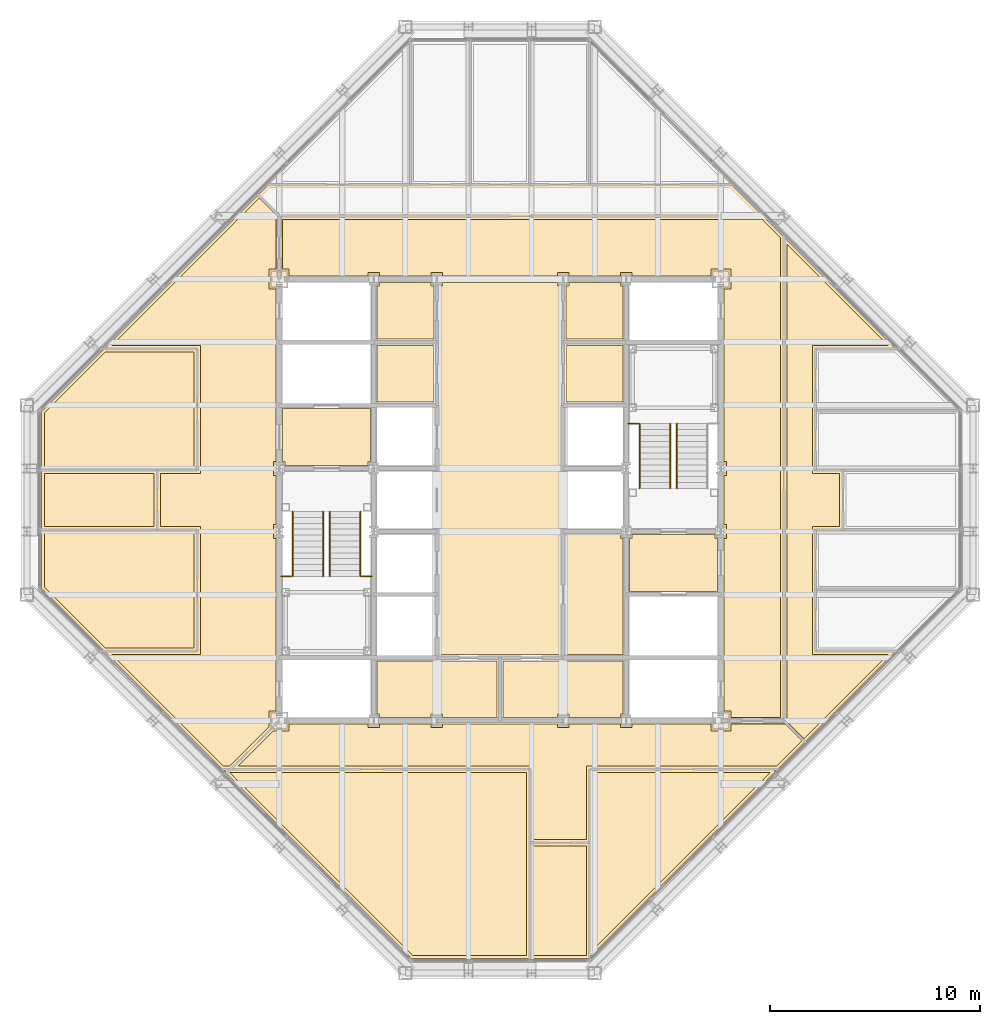
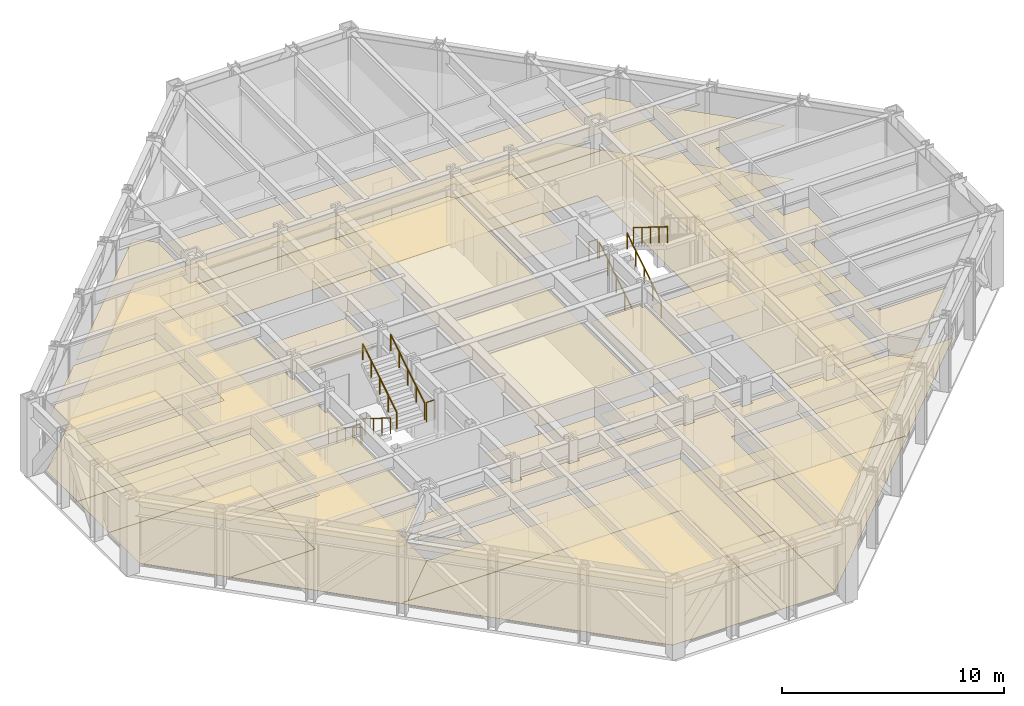
# One storey, part 14 of 15: 29 coverings, 10 railings.
"""IFC4 building model written with IfcOpenShell, lengths in metres."""

from ifc_helpers import new_model, si_unit, direction, frame, origin, origin_2d, place, context, subcontext, project, spatial, polyline, circle, outline, extrude, material, layer, layer_set, type_object, element, save


model = new_model("IFC4")

# Units and contexts
model_context = context("Model", 3, precision=1e-05, world=origin(), true_north=direction((0.0, 1.0)))
body_context = subcontext(model_context, "Body", "Model", "MODEL_VIEW")
ifc_project = project(units=[si_unit("LENGTHUNIT", "METRE"), si_unit("AREAUNIT", "SQUARE_METRE"), si_unit("VOLUMEUNIT", "CUBIC_METRE"), si_unit("PLANEANGLEUNIT", "RADIAN"), si_unit("MASSUNIT", "GRAM", prefix="KILO")], contexts=[model_context])

# Site, building, storey
site_placement = place(None, origin())
site = spatial("IfcSite", under=ifc_project, at=site_placement, CompositionType="ELEMENT")
building_placement = place(site_placement, origin())
building = spatial("IfcBuilding", under=site, at=building_placement, Name="Chuquiago Exchange Tower", CompositionType="ELEMENT")
storey_placement = place(building_placement, frame((0.0, 0.0, 279.0)))
storey = spatial("IfcBuildingStorey", under=building, at=storey_placement, Name="L62", CompositionType="ELEMENT", Elevation=279.0)

# Coverings
ifc_material_1 = material(Name="Mineral fibre tile, 600 x 600, on pale metal grid", Category="mineral fibre")
ifc_layer_1 = layer(ifc_material_1, 0.02001953125)
ifc_layer_set_1 = layer_set([ifc_layer_1], Name="CL1 suspended tile ceiling 20")
covering_type_1 = type_object("IfcCoveringType", Name="CL1 suspended tile ceiling 20", PredefinedType="CEILING", material=ifc_layer_set_1)
covering_1_placement = place(storey_placement, frame((0.0, 0.0, 3.0)))
element("IfcCovering", 1, at=covering_1_placement, inside=storey, type_object=covering_type_1, Name="Ceiling Conference room", PredefinedType="CEILING", context=body_context, shape_type="SweptSolid", body=[
    extrude(outline(polyline([(23.76708984375, 9.550048828125), (23.76708984375, 0.85009765625), (18.35205078125, 0.85009765625), (9.652099609375, 9.550048828125), (23.76708984375, 9.550048828125)])), origin(), (0.0, 0.0, 1.0), 0.02001953125),
])
covering_2_placement = place(storey_placement, frame((0.0, 0.0, 3.0)))
element("IfcCovering", 2, at=covering_2_placement, inside=storey, type_object=covering_type_1, Name="Ceiling Focus room", PredefinedType="CEILING", context=body_context, shape_type="SweptSolid", body=[
    extrude(outline(polyline([(24.067138671875, 0.85009765625), (24.067138671875, 6.050048828125), (26.6015625, 6.050048828125), (26.6015625, 0.85009765625), (24.067138671875, 0.85009765625)])), origin(), (0.0, 0.0, 1.0), 0.02001953125),
])
covering_3_placement = place(storey_placement, frame((0.0, 0.0, 3.0)))
element("IfcCovering", 3, at=covering_3_placement, inside=storey, type_object=covering_type_1, Name="Ceiling Office", PredefinedType="CEILING", context=body_context, shape_type="SweptSolid", body=[
    extrude(outline(polyline([(26.901611328125, 9.550048828125), (35.347900390625, 9.550048828125), (26.901611328125, 1.103515625), (26.901611328125, 9.550048828125)])), origin(), (0.0, 0.0, 1.0), 0.02001953125),
])
covering_4_placement = place(storey_placement, frame((0.0, 0.0, 3.0)))
element("IfcCovering", 4, at=covering_4_placement, inside=storey, type_object=covering_type_1, Name="Ceiling Executive office", PredefinedType="CEILING", context=body_context, shape_type="SweptSolid", body=[
    extrude(outline(polyline([(7.949951171875, 20.932861328125), (7.949951171875, 15.45703125), (3.744873046875, 15.45703125), (0.85009765625, 18.35205078125), (0.85009765625, 20.932861328125), (7.949951171875, 20.932861328125)])), origin(), (0.0, 0.0, 1.0), 0.02001953125),
])
covering_5_placement = place(storey_placement, frame((0.0, 0.0, 3.0)))
element("IfcCovering", 5, at=covering_5_placement, inside=storey, type_object=covering_type_1, Name="Ceiling Wellness room", PredefinedType="CEILING", context=body_context, shape_type="SweptSolid", body=[
    extrude(outline(polyline([(6.050048828125, 23.76708984375), (6.050048828125, 21.23291015625), (0.85009765625, 21.23291015625), (0.85009765625, 23.76708984375), (6.050048828125, 23.76708984375)])), origin(), (0.0, 0.0, 1.0), 0.02001953125),
])
covering_6_placement = place(storey_placement, frame((0.0, 0.0, 3.0)))
element("IfcCovering", 6, at=covering_6_placement, inside=storey, type_object=covering_type_1, Name="Ceiling Executive office", PredefinedType="CEILING", context=body_context, shape_type="SweptSolid", body=[
    extrude(outline(polyline([(3.744873046875, 29.54296875), (7.949951171875, 29.54296875), (7.949951171875, 24.067138671875), (0.85009765625, 24.067138671875), (0.85009765625, 26.64794921875), (3.744873046875, 29.54296875)])), origin(), (0.0, 0.0, 1.0), 0.02001953125),
])
covering_7_placement = place(storey_placement, frame((0.0, 0.0, 3.0)))
element("IfcCovering", 7, at=covering_7_placement, inside=storey, type_object=covering_type_1, Name="Ceiling Executive corridor", PredefinedType="CEILING", context=body_context, shape_type="SweptSolid", body=[
    extrude(outline(polyline([(35.85009765625, 12.14990234375), (33.47509765625, 12.14990234375), (33.47509765625, 12.47509765625), (33.14990234375, 12.47509765625), (33.14990234375, 20.67578125), (33.27490234375, 20.67578125), (33.27490234375, 21.32421875), (33.14990234375, 21.32421875), (33.14990234375, 23.67578125), (33.27490234375, 23.67578125), (33.27490234375, 24.32421875), (33.14990234375, 24.32421875), (33.14990234375, 32.52490234375), (33.47509765625, 32.52490234375), (33.47509765625, 33.47509765625), (32.52490234375, 33.47509765625), (32.52490234375, 33.14990234375), (28.77490234375, 33.14990234375), (28.77490234375, 33.32421875), (28.22509765625, 33.32421875), (28.22509765625, 33.14990234375), (25.77490234375, 33.14990234375), (25.77490234375, 33.32421875), (25.22509765625, 33.32421875), (25.22509765625, 33.14990234375), (19.77490234375, 33.14990234375), (19.77490234375, 33.32421875), (19.22509765625, 33.32421875), (19.22509765625, 33.14990234375), (16.77490234375, 33.14990234375), (16.77490234375, 33.32421875), (16.22509765625, 33.32421875), (16.22509765625, 33.14990234375), (12.47509765625, 33.14990234375), (12.47509765625, 33.47509765625), (12.14990234375, 33.47509765625), (12.14990234375, 35.85009765625), (34.947998046875, 35.85009765625), (35.85009765625, 34.947998046875), (35.85009765625, 12.14990234375)])), origin(), (0.0, 0.0, 1.0), 0.02001953125),
])
covering_8_placement = place(storey_placement, frame((0.0, 0.0, 3.0)))
element("IfcCovering", 8, at=covering_8_placement, inside=storey, type_object=covering_type_1, Name="Ceiling Executive reception south", PredefinedType="CEILING", context=body_context, shape_type="SweptSolid", body=[
    extrude(outline(polyline([(16.22509765625, 11.85009765625), (16.22509765625, 11.67578125), (16.77490234375, 11.67578125), (16.77490234375, 11.85009765625), (19.22509765625, 11.85009765625), (19.22509765625, 11.67578125), (19.77490234375, 11.67578125), (19.77490234375, 11.85009765625), (25.22509765625, 11.85009765625), (25.22509765625, 11.67578125), (25.77490234375, 11.67578125), (25.77490234375, 11.85009765625), (28.22509765625, 11.85009765625), (28.22509765625, 11.67578125), (28.77490234375, 11.67578125), (28.77490234375, 11.85009765625), (32.52490234375, 11.85009765625), (32.52490234375, 11.52490234375), (33.47509765625, 11.52490234375), (33.47509765625, 11.85009765625), (36.051025390625, 11.85009765625), (36.849609375, 11.051513671875), (35.64794921875, 9.85009765625), (26.6015625, 9.85009765625), (26.6015625, 6.35009765625), (24.067138671875, 6.35009765625), (24.067138671875, 9.85009765625), (10.062744140625, 9.85009765625), (11.73779296875, 11.52490234375), (12.47509765625, 11.52490234375), (12.47509765625, 11.85009765625), (16.22509765625, 11.85009765625)])), origin(), (0.0, 0.0, 1.0), 0.02001953125),
])
covering_9_placement = place(storey_placement, frame((0.0, 0.0, 3.0)))
element("IfcCovering", 9, at=covering_9_placement, inside=storey, type_object=covering_type_1, Name="Ceiling Executive reception south", PredefinedType="CEILING", context=body_context, shape_type="SweptSolid", body=[
    extrude(outline(polyline([(36.14990234375, 34.64794921875), (40.955078125, 29.843017578125), (37.35009765625, 29.843017578125), (37.35009765625, 23.76708984375), (38.64990234375, 23.76708984375), (38.64990234375, 21.23291015625), (37.35009765625, 21.23291015625), (37.35009765625, 15.156982421875), (40.955078125, 15.156982421875), (36.948486328125, 11.150390625), (36.14990234375, 11.948974609375), (36.14990234375, 34.64794921875)])), origin(), (0.0, 0.0, 1.0), 0.02001953125),
])
covering_10_placement = place(storey_placement, frame((0.0, 0.0, 3.0)))
element("IfcCovering", 10, at=covering_10_placement, inside=storey, type_object=covering_type_1, Name="Ceiling Executive reception west", PredefinedType="CEILING", context=body_context, shape_type="SweptSolid", body=[
    extrude(outline(polyline([(11.051513671875, 36.849609375), (11.85009765625, 36.051025390625), (11.85009765625, 33.47509765625), (11.52490234375, 33.47509765625), (11.52490234375, 32.52490234375), (11.85009765625, 32.52490234375), (11.85009765625, 24.32421875), (11.72509765625, 24.32421875), (11.72509765625, 23.67578125), (11.85009765625, 23.67578125), (11.85009765625, 21.32421875), (11.72509765625, 21.32421875), (11.72509765625, 20.67578125), (11.85009765625, 20.67578125), (11.85009765625, 12.47509765625), (11.52490234375, 12.47509765625), (11.52490234375, 11.73779296875), (9.63720703125, 9.85009765625), (9.35205078125, 9.85009765625), (4.044921875, 15.156982421875), (8.25, 15.156982421875), (8.25, 21.23291015625), (6.35009765625, 21.23291015625), (6.35009765625, 23.76708984375), (8.25, 23.76708984375), (8.25, 29.843017578125), (4.044921875, 29.843017578125), (11.051513671875, 36.849609375)])), origin(), (0.0, 0.0, 1.0), 0.02001953125),
])
covering_11_placement = place(storey_placement, frame((0.0, 0.0, 3.0)))
element("IfcCovering", 11, at=covering_11_placement, inside=storey, type_object=covering_type_1, Name="Ceiling Baby change room", PredefinedType="CEILING", context=body_context, shape_type="SweptSolid", body=[
    extrude(outline(polyline([(25.64990234375, 30.14990234375), (25.64990234375, 32.67578125), (25.77490234375, 32.67578125), (25.77490234375, 32.85009765625), (28.22509765625, 32.85009765625), (28.22509765625, 32.67578125), (28.35009765625, 32.67578125), (28.35009765625, 30.14990234375), (25.64990234375, 30.14990234375)])), origin(), (0.0, 0.0, 1.0), 0.02001953125),
])
covering_12_placement = place(storey_placement, frame((0.0, 0.0, 3.0)))
element("IfcCovering", 12, at=covering_12_placement, inside=storey, type_object=covering_type_1, Name="Ceiling Secretariat archive store", PredefinedType="CEILING", context=body_context, shape_type="SweptSolid", body=[
    extrude(outline(polyline([(25.64990234375, 15.14990234375), (25.64990234375, 20.85009765625), (28.22509765625, 20.85009765625), (28.22509765625, 20.67578125), (28.35009765625, 20.67578125), (28.35009765625, 15.14990234375), (25.64990234375, 15.14990234375)])), origin(), (0.0, 0.0, 1.0), 0.02001953125),
])
ifc_material_2 = material(Name="Moisture resistant plasterboard on metal frame", Category="gypsum")
ifc_layer_2 = layer(ifc_material_2, 0.014892578125)
ifc_layer_set_2 = layer_set([ifc_layer_2], Name="CL2 moisture resistant ceiling 15")
covering_type_2 = type_object("IfcCoveringType", Name="CL2 moisture resistant ceiling 15", PredefinedType="CEILING", material=ifc_layer_set_2)
covering_13_placement = place(storey_placement, frame((0.0, 0.0, 2.60009765625)))
element("IfcCovering", 13, at=covering_13_placement, inside=storey, type_object=covering_type_2, Name="Ceiling Male WC", PredefinedType="CEILING", context=body_context, shape_type="SweptSolid", body=[
    extrude(outline(polyline([(16.64990234375, 27.14990234375), (16.64990234375, 29.85009765625), (19.35009765625, 29.85009765625), (19.35009765625, 27.14990234375), (16.64990234375, 27.14990234375)])), origin(), (0.0, 0.0, 1.0), 0.014892578125),
])
covering_14_placement = place(storey_placement, frame((0.0, 0.0, 2.60009765625)))
element("IfcCovering", 14, at=covering_14_placement, inside=storey, type_object=covering_type_2, Name="Ceiling Staff shower room", PredefinedType="CEILING", context=body_context, shape_type="SweptSolid", body=[
    extrude(outline(polyline([(16.64990234375, 30.14990234375), (16.64990234375, 32.67578125), (16.77490234375, 32.67578125), (16.77490234375, 32.85009765625), (19.22509765625, 32.85009765625), (19.22509765625, 32.67578125), (19.35009765625, 32.67578125), (19.35009765625, 30.14990234375), (16.64990234375, 30.14990234375)])), origin(), (0.0, 0.0, 1.0), 0.014892578125),
])
covering_15_placement = place(storey_placement, frame((0.0, 0.0, 2.60009765625)))
element("IfcCovering", 15, at=covering_15_placement, inside=storey, type_object=covering_type_2, Name="Ceiling Female WC", PredefinedType="CEILING", context=body_context, shape_type="SweptSolid", body=[
    extrude(outline(polyline([(25.64990234375, 27.14990234375), (25.64990234375, 29.85009765625), (28.35009765625, 29.85009765625), (28.35009765625, 27.14990234375), (25.64990234375, 27.14990234375)])), origin(), (0.0, 0.0, 1.0), 0.014892578125),
])
covering_16_placement = place(storey_placement, frame((0.0, 0.0, 2.60009765625)))
element("IfcCovering", 16, at=covering_16_placement, inside=storey, type_object=covering_type_2, Name="Ceiling Accessible WC", PredefinedType="CEILING", context=body_context, shape_type="SweptSolid", body=[
    extrude(outline(polyline([(25.77490234375, 12.14990234375), (25.77490234375, 12.32421875), (25.22509765625, 12.32421875), (25.22509765625, 12.14990234375), (22.64990234375, 12.14990234375), (22.64990234375, 14.85009765625), (28.35009765625, 14.85009765625), (28.35009765625, 12.32421875), (28.22509765625, 12.32421875), (28.22509765625, 12.14990234375), (25.77490234375, 12.14990234375)])), origin(), (0.0, 0.0, 1.0), 0.014892578125),
])
covering_17_placement = place(storey_placement, frame((0.0, 0.0, 2.60009765625)))
element("IfcCovering", 17, at=covering_17_placement, inside=storey, type_object=covering_type_2, Name="Ceiling Cleaner", PredefinedType="CEILING", context=body_context, shape_type="SweptSolid", body=[
    extrude(outline(polyline([(19.77490234375, 12.14990234375), (19.77490234375, 12.32421875), (19.22509765625, 12.32421875), (19.22509765625, 12.14990234375), (16.77490234375, 12.14990234375), (16.77490234375, 12.32421875), (16.64990234375, 12.32421875), (16.64990234375, 14.85009765625), (22.35009765625, 14.85009765625), (22.35009765625, 12.14990234375), (19.77490234375, 12.14990234375)])), origin(), (0.0, 0.0, 1.0), 0.014892578125),
])
ifc_material_3 = material(Name="Pale metal plank ceiling, perforated", Category="aluminium")
ifc_layer_3 = layer(ifc_material_3, 0.030029296875)
ifc_layer_set_3 = layer_set([ifc_layer_3], Name="CL3 metal plank ceiling 30")
covering_type_3 = type_object("IfcCoveringType", Name="CL3 metal plank ceiling 30", PredefinedType="CEILING", material=ifc_layer_set_3)
covering_18_placement = place(storey_placement, frame((0.0, 0.0, 2.800048828125)))
element("IfcCovering", 18, at=covering_18_placement, inside=storey, type_object=covering_type_3, Name="Ceiling Lift lobby", PredefinedType="CEILING", context=body_context, shape_type="SweptSolid", body=[
    extrude(outline(polyline([(19.64990234375, 15.14990234375), (19.64990234375, 32.67578125), (19.77490234375, 32.67578125), (19.77490234375, 32.85009765625), (25.22509765625, 32.85009765625), (25.22509765625, 32.67578125), (25.35009765625, 32.67578125), (25.35009765625, 15.14990234375), (19.64990234375, 15.14990234375)])), origin(), (0.0, 0.0, 1.0), 0.030029296875),
])
covering_19_placement = place(storey_placement, frame((0.0, 0.0, 2.800048828125)))
element("IfcCovering", 19, at=covering_19_placement, inside=storey, type_object=covering_type_3, Name="Ceiling Firefighting lobby", PredefinedType="CEILING", context=body_context, shape_type="SweptSolid", body=[
    extrude(outline(polyline([(12.27490234375, 24.14990234375), (12.27490234375, 24.32421875), (12.14990234375, 24.32421875), (12.14990234375, 26.85009765625), (16.35009765625, 26.85009765625), (16.35009765625, 24.32421875), (16.22509765625, 24.32421875), (16.22509765625, 24.14990234375), (12.27490234375, 24.14990234375)])), origin(), (0.0, 0.0, 1.0), 0.030029296875),
])
covering_20_placement = place(storey_placement, frame((0.0, 0.0, 2.800048828125)))
element("IfcCovering", 20, at=covering_20_placement, inside=storey, type_object=covering_type_3, Name="Ceiling Firefighting lobby", PredefinedType="CEILING", context=body_context, shape_type="SweptSolid", body=[
    extrude(outline(polyline([(28.64990234375, 18.14990234375), (28.64990234375, 20.67578125), (28.77490234375, 20.67578125), (28.77490234375, 20.85009765625), (32.72509765625, 20.85009765625), (32.72509765625, 20.67578125), (32.85009765625, 20.67578125), (32.85009765625, 18.14990234375), (28.64990234375, 18.14990234375)])), origin(), (0.0, 0.0, 1.0), 0.030029296875),
])
ifc_material_4 = material(Name="Carpet tile, 500 x 500, on the floor slab", Category="textile")
ifc_layer_4 = layer(ifc_material_4, 0.010009765625)
ifc_layer_set_4 = layer_set([ifc_layer_4], Name="FL1 carpet tile 10")
covering_type_4 = type_object("IfcCoveringType", Name="FL1 carpet tile 10", PredefinedType="FLOORING", material=ifc_layer_set_4)
covering_21_placement = place(storey_placement, origin())
element("IfcCovering", 21, at=covering_21_placement, inside=storey, type_object=covering_type_4, Name="Floor finish Conference room", PredefinedType="FLOORING", context=body_context, shape_type="SweptSolid", body=[
    extrude(outline(polyline([(18.289794921875, 0.699951171875), (9.42431640625, 9.565673828125), (9.42431640625, 9.699951171875), (23.917236328125, 9.699951171875), (23.917236328125, 0.699951171875), (18.289794921875, 0.699951171875)])), origin(), (0.0, 0.0, 1.0), 0.010009765625),
])
covering_22_placement = place(storey_placement, origin())
element("IfcCovering", 22, at=covering_22_placement, inside=storey, type_object=covering_type_4, Name="Floor finish Focus room", PredefinedType="FLOORING", context=body_context, shape_type="SweptSolid", body=[
    extrude(outline(polyline([(26.710205078125, 0.699951171875), (23.917236328125, 0.699951171875), (23.917236328125, 6.199951171875), (26.75146484375, 6.199951171875), (26.75146484375, 0.741455078125), (26.710205078125, 0.699951171875)])), origin(), (0.0, 0.0, 1.0), 0.010009765625),
])
covering_23_placement = place(storey_placement, origin())
element("IfcCovering", 23, at=covering_23_placement, inside=storey, type_object=covering_type_4, Name="Floor finish Office", PredefinedType="FLOORING", context=body_context, shape_type="SweptSolid", body=[
    extrude(outline(polyline([(26.75146484375, 0.741455078125), (26.75146484375, 9.699951171875), (35.57568359375, 9.699951171875), (35.57568359375, 9.565673828125), (26.75146484375, 0.741455078125)])), origin(), (0.0, 0.0, 1.0), 0.010009765625),
])
covering_24_placement = place(storey_placement, origin())
element("IfcCovering", 24, at=covering_24_placement, inside=storey, type_object=covering_type_4, Name="Floor finish Executive office", PredefinedType="FLOORING", context=body_context, shape_type="SweptSolid", body=[
    extrude(outline(polyline([(0.699951171875, 21.082763671875), (8.10009765625, 21.082763671875), (8.10009765625, 15.30712890625), (3.682861328125, 15.30712890625), (0.699951171875, 18.289794921875), (0.699951171875, 21.082763671875)])), origin(), (0.0, 0.0, 1.0), 0.010009765625),
])
covering_25_placement = place(storey_placement, origin())
element("IfcCovering", 25, at=covering_25_placement, inside=storey, type_object=covering_type_4, Name="Floor finish Wellness room", PredefinedType="FLOORING", context=body_context, shape_type="SweptSolid", body=[
    extrude(outline(polyline([(0.699951171875, 23.917236328125), (6.199951171875, 23.917236328125), (6.199951171875, 21.082763671875), (0.699951171875, 21.082763671875), (0.699951171875, 23.917236328125)])), origin(), (0.0, 0.0, 1.0), 0.010009765625),
])
covering_26_placement = place(storey_placement, origin())
element("IfcCovering", 26, at=covering_26_placement, inside=storey, type_object=covering_type_4, Name="Floor finish Executive office", PredefinedType="FLOORING", context=body_context, shape_type="SweptSolid", body=[
    extrude(outline(polyline([(0.699951171875, 26.710205078125), (3.682861328125, 29.69287109375), (8.10009765625, 29.69287109375), (8.10009765625, 23.917236328125), (0.699951171875, 23.917236328125), (0.699951171875, 26.710205078125)])), origin(), (0.0, 0.0, 1.0), 0.010009765625),
])
ifc_material_5 = material(Name="Porcelain floor tile, 600 x 600, on adhesive bed", Category="ceramic")
ifc_layer_5 = layer(ifc_material_5, 0.014892578125)
ifc_layer_set_5 = layer_set([ifc_layer_5], Name="FL2 porcelain tile 15")
covering_type_5 = type_object("IfcCoveringType", Name="FL2 porcelain tile 15", PredefinedType="FLOORING", material=ifc_layer_set_5)
covering_27_placement = place(storey_placement, origin())
element("IfcCovering", 27, at=covering_27_placement, inside=storey, type_object=covering_type_5, Name="Floor finish Executive corridor", PredefinedType="FLOORING", context=body_context, shape_type="SweptSolid", body=[
    extrude(outline(polyline([(36.0, 35.010009765625), (36.0, 12.0), (33.0, 12.0), (33.0, 33.0), (12.0, 33.0), (12.0, 36.0), (35.010009765625, 36.0), (36.0, 35.010009765625)])), origin(), (0.0, 0.0, 1.0), 0.014892578125),
])
covering_28_placement = place(storey_placement, origin())
element("IfcCovering", 28, at=covering_28_placement, inside=storey, type_object=covering_type_5, Name="Floor finish Executive reception south", PredefinedType="FLOORING", context=body_context, shape_type="SweptSolid", body=[
    extrude(outline(polyline([(12.00048828125, 12.0), (36.0, 12.0), (36.0, 35.010009765625), (41.317138671875, 29.69287109375), (37.5, 29.69287109375), (37.5, 23.917236328125), (38.800048828125, 23.917236328125), (38.800048828125, 21.082763671875), (37.5, 21.082763671875), (37.5, 15.30712890625), (41.317138671875, 15.30712890625), (35.57568359375, 9.565673828125), (35.57568359375, 9.699951171875), (26.75146484375, 9.699951171875), (26.75146484375, 6.199951171875), (23.917236328125, 6.199951171875), (23.917236328125, 9.699951171875), (9.70068359375, 9.699951171875), (12.00048828125, 12.0)])), origin(), (0.0, 0.0, 1.0), 0.014892578125),
])
covering_29_placement = place(storey_placement, origin())
element("IfcCovering", 29, at=covering_29_placement, inside=storey, type_object=covering_type_5, Name="Floor finish Executive reception west", PredefinedType="FLOORING", context=body_context, shape_type="SweptSolid", body=[
    extrude(outline(polyline([(11.489990234375, 37.5), (33.510009765625, 37.5), (30.130859375, 40.87939453125), (35.010009765625, 36.0), (12.0, 36.0), (12.0, 12.00048828125), (9.69921875, 9.699951171875), (9.42431640625, 9.699951171875), (9.42431640625, 9.565673828125), (3.682861328125, 15.30712890625), (8.10009765625, 15.30712890625), (8.10009765625, 21.082763671875), (6.199951171875, 21.082763671875), (6.199951171875, 23.917236328125), (8.10009765625, 23.917236328125), (8.10009765625, 29.69287109375), (3.682861328125, 29.69287109375), (0.699951171875, 26.710205078125), (11.489990234375, 37.5)])), origin(), (0.0, 0.0, 1.0), 0.014892578125),
])

# Railings
ifc_material_6 = material(Name="Pale metal guard with safety glass infill", Category="glass")
railing_type_1 = type_object("IfcRailingType", Name="GR1 guard 1100", PredefinedType="GUARDRAIL", material=ifc_material_6)
for number, where, name in (
    (30, (12.10009765625, 18.8701171875, 2.10009765625), "Guard ST1 L62 landing 2"),
    (31, (15.945068359375, 18.8701171875, 2.10009765625), "Guard ST1 L62 landing 2"),
    (32, (28.60009765625, 26.1298828125, 2.10009765625), "Guard ST2 L62 landing 2"),
):
    element("IfcRailing", number, at=place(storey_placement, frame(where)), inside=storey, type_object=railing_type_1, Name=name, PredefinedType="GUARDRAIL", context=body_context, shape_type="SweptSolid", body=[
        extrude(circle(Radius=0.02392578125, at=origin_2d()), frame((0.0, 0.0, 1.076171875), z_axis=(1.0, 0.0, 0.0), x_axis=(0.0, 1.0, 0.0)), (0.0, 0.0, 1.0), 0.454833984375),
        extrude(circle(Radius=0.02099609375, at=origin_2d()), origin(), (0.0, 0.0, 1.0), 1.052001953125),
        extrude(circle(Radius=0.02099609375, at=origin_2d()), frame((0.454833984375, 0.0, 0.0)), (0.0, 0.0, 1.0), 1.052001953125),
    ])
ifc_material_7 = material(Name="Pale metal handrail", Category="steel")
railing_type_2 = type_object("IfcRailingType", Name="HR1 handrail 900", PredefinedType="HANDRAIL", material=ifc_material_7)
for number, where, name in (
    (33, (12.635009765625, 21.949951171875, 0.175048828125), "Handrail ST1 L62 flight 1"),
    (34, (14.0849609375, 21.949951171875, 0.175048828125), "Handrail ST1 L62 flight 1"),
):
    element("IfcRailing", number, at=place(storey_placement, frame(where)), inside=storey, type_object=railing_type_2, Name=name, PredefinedType="HANDRAIL", context=body_context, shape_type="SweptSolid", body=[
        extrude(circle(Radius=0.02392578125, at=origin_2d()), frame((0.0, 0.0, 0.8759765625), z_axis=(0.0, -0.847979421464, 0.530029150871), x_axis=(1.0, 0.0, 0.0)), (0.0, 0.0, 1.0), 3.632080078125),
        extrude(circle(Radius=0.02099609375, at=origin_2d()), origin(), (0.0, 0.0, 1.0), 0.851806640625),
        extrude(circle(Radius=0.02099609375, at=origin_2d()), frame((0.0, -0.77001953125, 0.481201171875)), (0.0, 0.0, 1.0), 0.851806640625),
        extrude(circle(Radius=0.02099609375, at=origin_2d()), frame((0.0, -1.5400390625, 0.96240234375)), (0.0, 0.0, 1.0), 0.851806640625),
        extrude(circle(Radius=0.02099609375, at=origin_2d()), frame((0.0, -2.309814453125, 1.44384765625)), (0.0, 0.0, 1.0), 0.851806640625),
        extrude(circle(Radius=0.02099609375, at=origin_2d()), frame((0.0, -3.079833984375, 1.925048828125)), (0.0, 0.0, 1.0), 0.851806640625),
    ])
for number, where, name in (
    (35, (15.864990234375, 18.8701171875, 2.27490234375), "Handrail ST1 L62 flight 2"),
    (36, (14.4150390625, 18.8701171875, 2.27490234375), "Handrail ST1 L62 flight 2"),
    (37, (30.5849609375, 23.050048828125, 0.175048828125), "Handrail ST2 L62 flight 1"),
    (38, (29.135009765625, 23.050048828125, 0.175048828125), "Handrail ST2 L62 flight 1"),
):
    element("IfcRailing", number, at=place(storey_placement, frame(where)), inside=storey, type_object=railing_type_2, Name=name, PredefinedType="HANDRAIL", context=body_context, shape_type="SweptSolid", body=[
        extrude(circle(Radius=0.02392578125, at=origin_2d()), frame((0.0, 0.0, 0.8759765625), z_axis=(0.0, 0.847979421464, 0.530029150871), x_axis=(-1.0, 0.0, 0.0)), (0.0, 0.0, 1.0), 3.632080078125),
        extrude(circle(Radius=0.02099609375, at=origin_2d()), origin(), (0.0, 0.0, 1.0), 0.851806640625),
        extrude(circle(Radius=0.02099609375, at=origin_2d()), frame((0.0, 0.77001953125, 0.481201171875)), (0.0, 0.0, 1.0), 0.851806640625),
        extrude(circle(Radius=0.02099609375, at=origin_2d()), frame((0.0, 1.5400390625, 0.96240234375)), (0.0, 0.0, 1.0), 0.851806640625),
        extrude(circle(Radius=0.02099609375, at=origin_2d()), frame((0.0, 2.309814453125, 1.44384765625)), (0.0, 0.0, 1.0), 0.851806640625),
        extrude(circle(Radius=0.02099609375, at=origin_2d()), frame((0.0, 3.079833984375, 1.925048828125)), (0.0, 0.0, 1.0), 0.851806640625),
    ])
railing_placement = place(storey_placement, frame((30.9150390625, 26.1298828125, 2.27490234375)))
element("IfcRailing", 39, at=railing_placement, inside=storey, type_object=railing_type_2, Name="Handrail ST2 L62 flight 2", PredefinedType="HANDRAIL", context=body_context, shape_type="SweptSolid", body=[
    extrude(circle(Radius=0.02392578125, at=origin_2d()), frame((0.0, 0.0, 0.8759765625), z_axis=(0.0, -0.847979421464, 0.530029150871), x_axis=(1.0, 0.0, 0.0)), (0.0, 0.0, 1.0), 3.632080078125),
    extrude(circle(Radius=0.02099609375, at=origin_2d()), origin(), (0.0, 0.0, 1.0), 0.851806640625),
    extrude(circle(Radius=0.02099609375, at=origin_2d()), frame((0.0, -0.77001953125, 0.481201171875)), (0.0, 0.0, 1.0), 0.851806640625),
    extrude(circle(Radius=0.02099609375, at=origin_2d()), frame((0.0, -1.5400390625, 0.96240234375)), (0.0, 0.0, 1.0), 0.851806640625),
    extrude(circle(Radius=0.02099609375, at=origin_2d()), frame((0.0, -2.309814453125, 1.44384765625)), (0.0, 0.0, 1.0), 0.851806640625),
    extrude(circle(Radius=0.02099609375, at=origin_2d()), frame((0.0, -3.079833984375, 1.925048828125)), (0.0, 0.0, 1.0), 0.851806640625),
])

save(model, "model.ifc")
